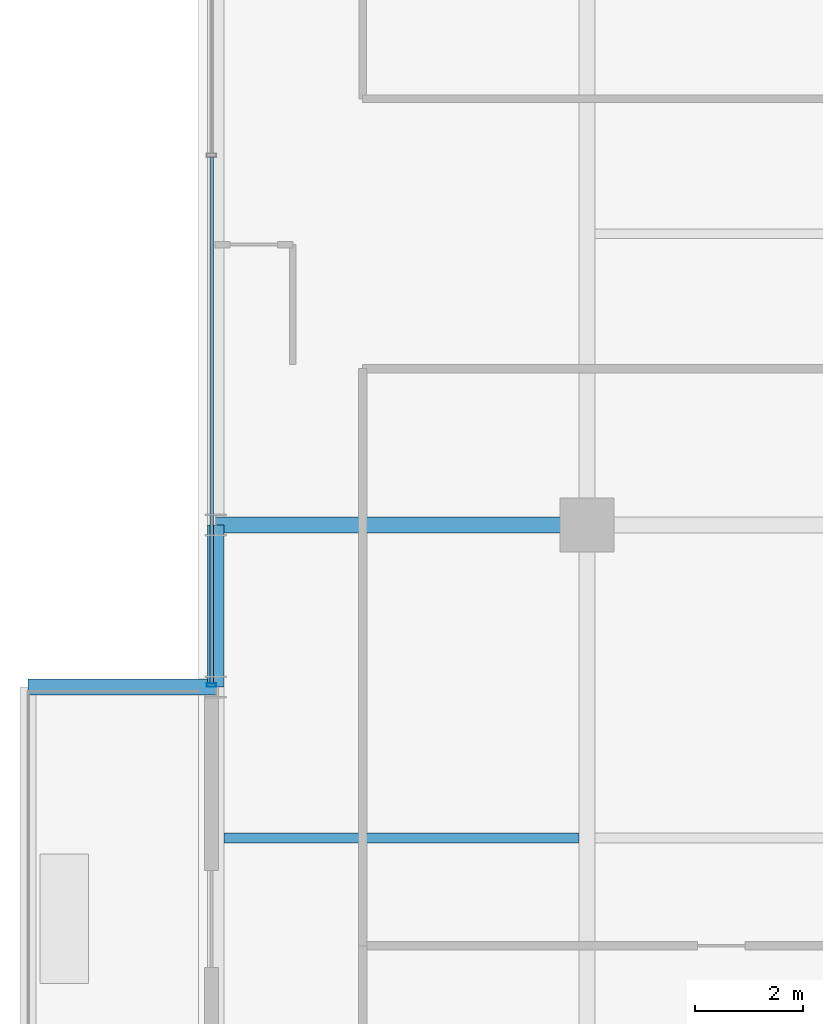
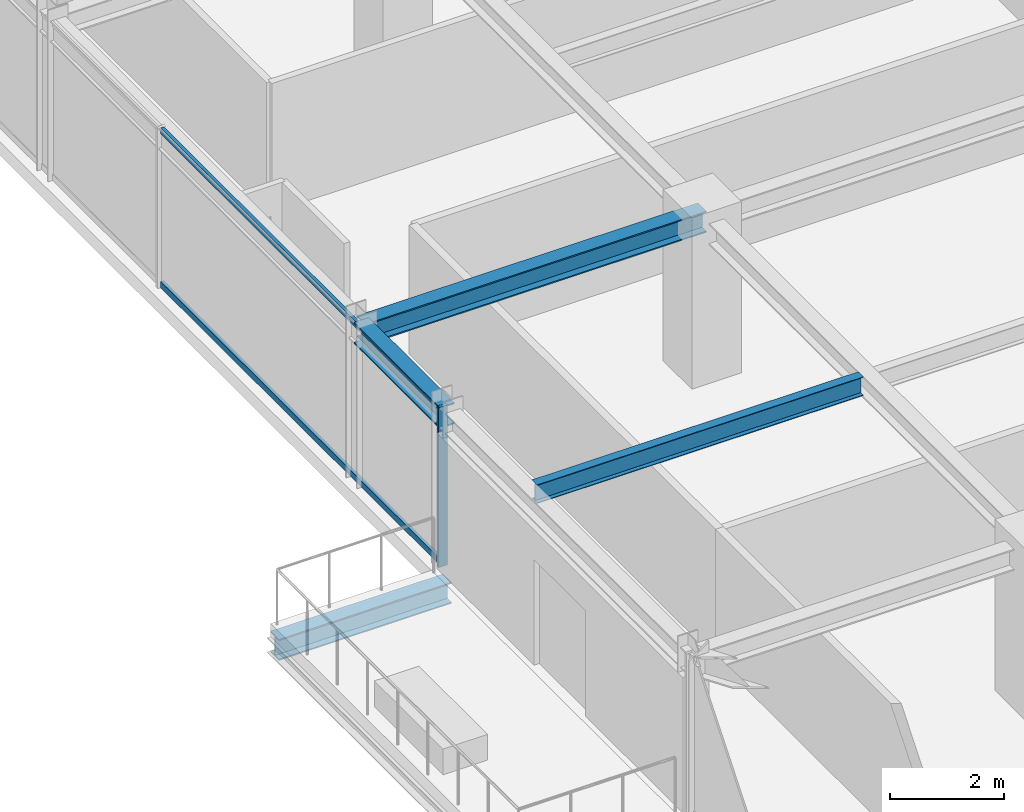
# One storey, part 7 of 32: 4 beams, 3 members, 1 element without a shape of its own.
"""IFC4 building model written with IfcOpenShell, lengths in metres."""

from ifc_helpers import new_model, si_unit, direction, frame, origin, origin_2d, place, context, subcontext, project, spatial, hollow_rectangle, i_section, extrude, source, transform, mapped, material, material_profile, profile_set, type_object, element, aggregate, save


model = new_model("IFC4")

# Units and contexts
model_context = context("Model", 3, precision=1e-05, world=origin(), true_north=direction((0.0, 1.0)))
body_context = subcontext(model_context, "Body", "Model", "MODEL_VIEW")
ifc_project = project(units=[si_unit("LENGTHUNIT", "METRE"), si_unit("AREAUNIT", "SQUARE_METRE"), si_unit("VOLUMEUNIT", "CUBIC_METRE"), si_unit("PLANEANGLEUNIT", "RADIAN"), si_unit("MASSUNIT", "GRAM", prefix="KILO")], contexts=[model_context])

# Site, building, storey
site_placement = place(None, origin())
site = spatial("IfcSite", under=ifc_project, at=site_placement, CompositionType="ELEMENT")
building_placement = place(site_placement, origin())
building = spatial("IfcBuilding", under=site, at=building_placement, Name="Nahalor Promenade Grand Hotel", CompositionType="ELEMENT")
storey_placement = place(building_placement, frame((0.0, 0.0, 230.800048828125)))
storey = spatial("IfcBuildingStorey", under=building, at=storey_placement, Name="L59", CompositionType="ELEMENT", Elevation=230.800048828125)

# Beams
ifc_material_1 = material(Name="Steel S355JR", Category="steel")
ifc_material_profile_1 = material_profile(ifc_material_1, i_section(OverallWidth=0.3, OverallDepth=0.45, WebThickness=0.014, FlangeThickness=0.026, at=origin_2d()), Name="HEB 450")
ifc_profile_set_1 = profile_set([ifc_material_profile_1], Name="Steel S355JR")
beam_type_1 = type_object("IfcBeamType", Name="Beam-Outrigger-HEB450", PredefinedType="BEAM", material=ifc_profile_set_1)
shared_shape_1 = source(origin(), body_context, "Body", "SweptSolid", [
    extrude(i_section(OverallWidth=0.3, OverallDepth=0.45, WebThickness=0.014, FlangeThickness=0.026, at=origin_2d()), origin(), (0.0, 0.0, 1.0), 3.480224609375),
])
beam_1_placement = place(storey_placement, frame((-27.360107421875, -8.39990234375, -0.505126953125), z_axis=(1.0, 0.0, 0.0), x_axis=(0.0, 1.0, 0.0)))
element("IfcBeam", 1, at=beam_1_placement, inside=storey, type_object=beam_type_1, Name="BM-L59-BC-02-2", PredefinedType="BEAM", context=body_context, shape_type="MappedRepresentation", body=[
    mapped(shared_shape_1, transform((0.0, 0.0, 0.0), scale=1.0)),
])
ifc_material_profile_2 = material_profile(ifc_material_1, i_section(OverallWidth=0.3, OverallDepth=0.45, WebThickness=0.014, FlangeThickness=0.026, at=origin_2d()), Name="HEB 450")
ifc_profile_set_2 = profile_set([ifc_material_profile_2], Name="Steel S355JR")
beam_type_2 = type_object("IfcBeamType", Name="Beam-Spandrel-HEB450", PredefinedType="SPANDREL", material=ifc_profile_set_2)
shared_shape_2 = source(origin(), body_context, "Body", "SweptSolid", [
    extrude(i_section(OverallWidth=0.3, OverallDepth=0.45, WebThickness=0.014, FlangeThickness=0.026, at=origin_2d()), origin(), (0.0, 0.0, 1.0), 3.0),
])
beam_2_placement = place(storey_placement, frame((-23.8798828125, -8.39990234375, 3.18505859375), z_axis=(0.0, 1.0, 0.0), x_axis=(-1.0, 0.0, 0.0)))
element("IfcBeam", 2, at=beam_2_placement, inside=storey, type_object=beam_type_2, Name="BM-L59-SP-W-1", PredefinedType="SPANDREL", context=body_context, shape_type="MappedRepresentation", body=[
    mapped(shared_shape_2, transform((0.0, 0.0, 0.0), scale=1.0)),
])
ifc_material_profile_3 = material_profile(ifc_material_1, i_section(OverallWidth=0.3, OverallDepth=0.45, WebThickness=0.014, FlangeThickness=0.026, at=origin_2d()), Name="HEB 450")
ifc_profile_set_3 = profile_set([ifc_material_profile_3], Name="Steel S355JR")
beam_type_3 = type_object("IfcBeamType", Name="Beam-Girder-HEB450", PredefinedType="BEAM", material=ifc_profile_set_3)
shared_shape_3 = source(origin(), body_context, "Body", "SweptSolid", [
    extrude(i_section(OverallWidth=0.3, OverallDepth=0.45, WebThickness=0.014, FlangeThickness=0.026, at=origin_2d()), origin(), (0.0, 0.0, 1.0), 6.8798828125),
])
beam_3_placement = place(storey_placement, frame((-23.8798828125, -5.39990234375, 3.18505859375), z_axis=(1.0, 0.0, 0.0), x_axis=(0.0, 1.0, 0.0)))
element("IfcBeam", 3, at=beam_3_placement, inside=storey, type_object=beam_type_3, Name="BM-L59-GX-1-0", PredefinedType="BEAM", context=body_context, shape_type="MappedRepresentation", body=[
    mapped(shared_shape_3, transform((0.0, 0.0, 0.0), scale=1.0)),
])
ifc_material_profile_4 = material_profile(ifc_material_1, i_section(OverallWidth=0.18, OverallDepth=0.4, WebThickness=0.0086, FlangeThickness=0.0135, at=origin_2d()), Name="IPE 400")
ifc_profile_set_4 = profile_set([ifc_material_profile_4], Name="Steel S355JR")
beam_type_4 = type_object("IfcBeamType", Name="Beam-Joist-IPE400", PredefinedType="JOIST", material=ifc_profile_set_4)
shared_shape_4 = source(origin(), body_context, "Body", "SweptSolid", [
    extrude(i_section(OverallWidth=0.18, OverallDepth=0.4, WebThickness=0.0086, FlangeThickness=0.0135, at=origin_2d()), origin(), (0.0, 0.0, 1.0), 6.580078125),
])
beam_4_placement = place(storey_placement, frame((-23.72998046875, -11.199951171875, 3.2099609375), z_axis=(1.0, 0.0, 0.0), x_axis=(0.0, 1.0, 0.0)))
element("IfcBeam", 4, at=beam_4_placement, inside=storey, type_object=beam_type_4, Name="BM-L59-JSW-0-0", PredefinedType="JOIST", context=body_context, shape_type="MappedRepresentation", body=[
    mapped(shared_shape_4, transform((0.0, 0.0, 0.0), scale=1.0)),
])

# Curtain wall, members
ifc_material_2 = material(Name="Anodised Bronze Aluminium EN AW-6063 T6", Category="aluminium")
curtain_wall_type = type_object("IfcCurtainWallType", Name="CW2 Typical Hotel Flush Bronze Unitised Curtain Wall", PredefinedType="USERDEFINED", material=ifc_material_2)
curtain_wall_placement = place(storey_placement, origin())
curtain_wall = element("IfcCurtainWall", 5, at=curtain_wall_placement, inside=storey, type_object=curtain_wall_type, Name="L59 Curtain Wall CW-L59-W-3", ObjectType="UNITISED_CURTAIN_WALL", PredefinedType="USERDEFINED")
ifc_material_profile_5 = material_profile(ifc_material_2, hollow_rectangle(XDim=0.065, YDim=0.13, WallThickness=0.004, at=origin_2d()), Name="CWT 65x130x4")
ifc_profile_set_5 = profile_set([ifc_material_profile_5], Name="Anodised Bronze Aluminium EN AW-6063 T6")
member_type_1 = type_object("IfcMemberType", Name="CWT2 Typical Bronze Transom 65x130", PredefinedType="USERDEFINED", material=ifc_profile_set_5)
shared_shape_5 = source(origin(), body_context, "Body", "SweptSolid", [
    extrude(hollow_rectangle(XDim=0.065, YDim=0.13, WallThickness=0.004, at=origin_2d()), origin(), (0.0, 0.0, 1.0), 9.755859375),
])
member_1_placement = place(storey_placement, frame((-23.9599609375, -8.3349609375, 0.06494140625), z_axis=(0.0, 1.0, 0.0), x_axis=(-1.0, 0.0, 0.0)))
member_1 = element("IfcMember", 6, at=member_1_placement, type_object=member_type_1, Name="CW-L59-W-3 Transom 0-0", ObjectType="TRANSOM", PredefinedType="USERDEFINED", context=body_context, shape_type="MappedRepresentation", body=[
    mapped(shared_shape_5, transform((0.0, 0.0, 0.0), scale=1.0)),
])
member_2_placement = place(storey_placement, frame((-23.9599609375, -8.3349609375, 3.344970703125), z_axis=(0.0, 1.0, 0.0), x_axis=(-1.0, 0.0, 0.0)))
member_2 = element("IfcMember", 7, at=member_2_placement, type_object=member_type_1, Name="CW-L59-W-3 Transom 0-1", ObjectType="TRANSOM", PredefinedType="USERDEFINED", context=body_context, shape_type="MappedRepresentation", body=[
    mapped(shared_shape_5, transform((0.0, 0.0, 0.0), scale=1.0)),
])
ifc_material_profile_6 = material_profile(ifc_material_2, hollow_rectangle(XDim=0.065, YDim=0.18, WallThickness=0.004, at=origin_2d()), Name="CWM 65x180x4")
ifc_profile_set_6 = profile_set([ifc_material_profile_6], Name="Anodised Bronze Aluminium EN AW-6063 T6")
member_type_2 = type_object("IfcMemberType", Name="CWM2 Typical Bronze Mullion 65x180", PredefinedType="MULLION", material=ifc_profile_set_6)
shared_shape_6 = source(origin(), body_context, "Body", "SweptSolid", [
    extrude(hollow_rectangle(XDim=0.065, YDim=0.18, WallThickness=0.004, at=origin_2d()), origin(), (0.0, 0.0, 1.0), 3.409912109375),
])
member_3_placement = place(storey_placement, frame((-23.9599609375, -8.367431640625, 0.0), z_axis=(0.0, 0.0, 1.0), x_axis=(0.0, 1.0, 0.0)))
member_3 = element("IfcMember", 8, at=member_3_placement, type_object=member_type_2, Name="CW-L59-W-3 Mullion 0", PredefinedType="MULLION", context=body_context, shape_type="MappedRepresentation", body=[
    mapped(shared_shape_6, transform((0.0, 0.0, 0.0), scale=1.0)),
])
aggregate(curtain_wall, [member_3, member_1, member_2])

save(model, "model.ifc")
